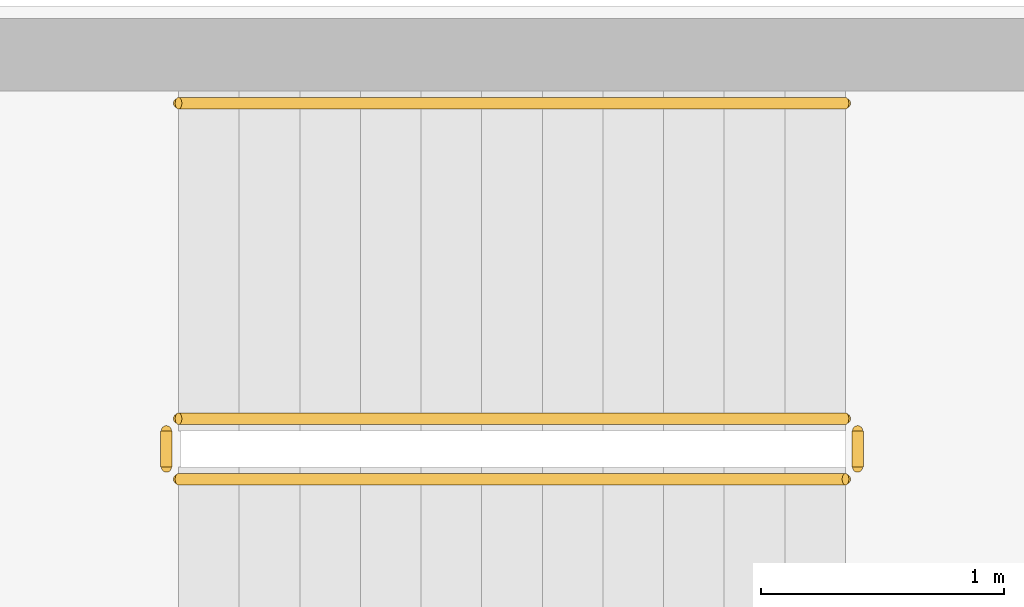
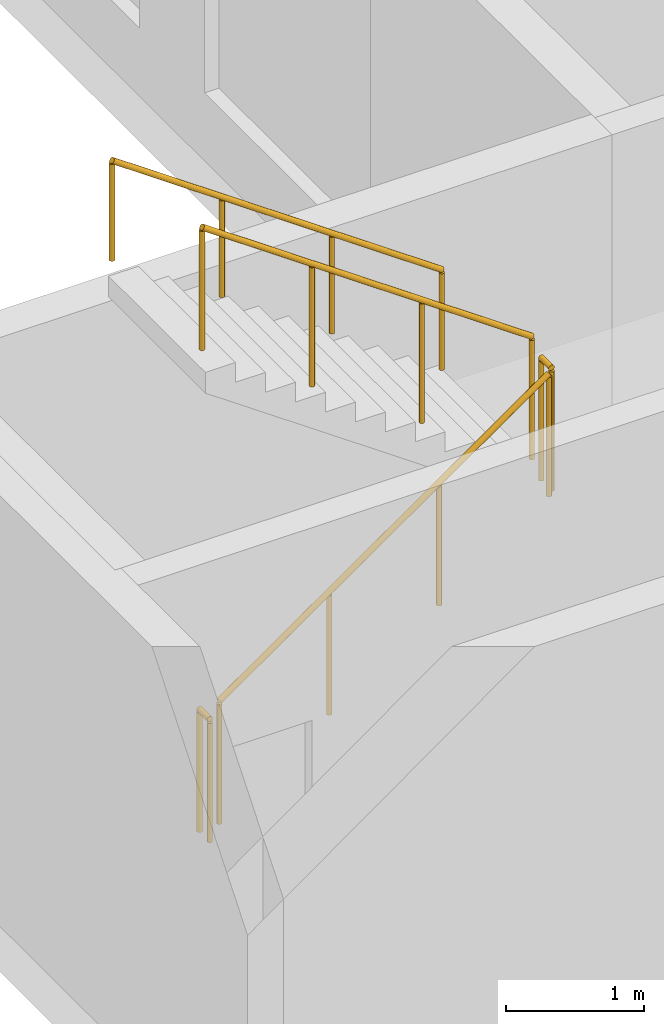
# One storey, part 13 of 14: 5 railings.
"""IFC4 building model written with IfcOpenShell, lengths in metres."""

import ifcopenshell
import ifcopenshell.guid

model = None  # the IFC model being written
_history = None  # IfcOwnerHistory: only IFC2X3 demands one
_inside = {}  # id of a spatial element -> (the spatial element, [elements in it])
_under = {}  # id of a project, library or spatial element -> (it, [spatial elements below it])
_declared = {}  # id of a project -> (the project, [libraries it declares])
_typed = {}  # id of a type object -> (the type object, [elements of that type])
_made_of = {}  # id of a material, layer set ... -> (it, [elements and type objects made of it])


def new_model(schema):
    """Start an empty IFC model of exactly this schema.

    Asked for "IFC4X3", IfcOpenShell would pick the latest addendum, in which some entities
    have other attributes; the version numbers below select the first issue.
    IFC2X3 requires an IfcOwnerHistory on every rooted entity: one is made here for all.
    """
    global model, _history
    if schema == "IFC4X3":
        model = ifcopenshell.file(schema_version=(4, 3, 0, 0))
    else:
        model = ifcopenshell.file(schema=schema)
    _inside.clear()
    _under.clear()
    _declared.clear()
    _typed.clear()
    _made_of.clear()
    _history = None
    if model.schema == "IFC2X3":
        org = make("IfcOrganization", Name="unknown")
        user = make(
            "IfcPersonAndOrganization",
            ThePerson=make("IfcPerson", FamilyName="unknown"),
            TheOrganization=org,
        )
        app = make(
            "IfcApplication",
            ApplicationDeveloper=org,
            Version="unknown",
            ApplicationFullName="unknown",
            ApplicationIdentifier="unknown",
        )
        _history = make(
            "IfcOwnerHistory",
            OwningUser=user,
            OwningApplication=app,
            ChangeAction="ADDED",
            CreationDate=0,
        )
    return model


def make(cls, **values):
    """One entity of the class cls with the attributes given. An attribute that is None is left unset."""
    return model.create_entity(
        cls, **{name: value for name, value in values.items() if value is not None}
    )


def rooted(cls, **values):
    """An entity with a GlobalId (a new one), such as an element, a storey or a relation."""
    return make(cls, GlobalId=ifcopenshell.guid.new(), OwnerHistory=_history, **values)


def si_unit(unit_type, name, prefix=None):
    """IfcSIUnit, for example si_unit("LENGTHUNIT", "METRE", prefix="MILLI")."""
    return make("IfcSIUnit", UnitType=unit_type, Prefix=prefix, Name=name)


def assignment(units):
    """IfcUnitAssignment: the units of a project."""
    return None if units is None else make("IfcUnitAssignment", Units=units)


def point(xyz):
    """IfcCartesianPoint."""
    return None if xyz is None else make("IfcCartesianPoint", Coordinates=xyz)


def direction(xyz):
    """IfcDirection."""
    return None if xyz is None else make("IfcDirection", DirectionRatios=xyz)


def frame(location, z_axis=None, x_axis=None):
    """IfcAxis2Placement3D, a coordinate frame: its origin and axes. An axis left out is left unset."""
    return make(
        "IfcAxis2Placement3D",
        Location=point(location),
        Axis=direction(z_axis),
        RefDirection=direction(x_axis),
    )


def frame_2d(location, x_axis=None):
    """IfcAxis2Placement2D, a coordinate frame in the plane: its origin and x axis."""
    return make(
        "IfcAxis2Placement2D", Location=point(location), RefDirection=direction(x_axis)
    )


def origin():
    """The frame at (0, 0, 0) with its axes left unset."""
    return frame((0.0, 0.0, 0.0))


def origin_2d():
    """The frame at (0, 0) in the plane with its x axis left unset."""
    return frame_2d((0.0, 0.0))


def place(relative_to, where):
    """IfcLocalPlacement: puts the frame where relative to a parent placement (None: the world)."""
    return make(
        "IfcLocalPlacement", PlacementRelTo=relative_to, RelativePlacement=where
    )


def context(
    kind, dimensions, precision=None, world=None, true_north=None, identifier=None
):
    """IfcGeometricRepresentationContext, for example the 3D "Model" context."""
    return make(
        "IfcGeometricRepresentationContext",
        ContextIdentifier=identifier,
        ContextType=kind,
        CoordinateSpaceDimension=dimensions,
        Precision=precision,
        WorldCoordinateSystem=world,
        TrueNorth=true_north,
    )


def subcontext(parent, identifier, kind, view, scale=None):
    """IfcGeometricRepresentationSubContext, for example "Body" below "Model"."""
    return make(
        "IfcGeometricRepresentationSubContext",
        ContextIdentifier=identifier,
        ContextType=kind,
        ParentContext=parent,
        TargetScale=scale,
        TargetView=view,
    )


def project(units=None, contexts=None):
    """IfcProject with its units and contexts."""
    return rooted(
        "IfcProject",
        Name="project",
        RepresentationContexts=contexts,
        UnitsInContext=assignment(units),
    )


def spatial(cls, under=None, at=None, **own):
    """A site, building, storey or space (cls), placed at a placement, below another one or the project."""
    s = rooted(cls, ObjectPlacement=at, **own)
    if under is not None:
        _under.setdefault(under.id(), (under, []))[1].append(s)
    return s


def profile(cls, at=None, kind="AREA", **sizes):
    """A parametric profile (cls). Its sizes go by their IFC names, for example OverallWidth=200.0."""
    return make(cls, ProfileType=kind, Position=at, **sizes)


def circle(**sizes):
    """IfcCircleProfileDef."""
    return profile("IfcCircleProfileDef", **sizes)


def extrude(swept, where, along, depth):
    """IfcExtrudedAreaSolid: the profile swept, set in the frame where, extruded along a direction by depth."""
    return make(
        "IfcExtrudedAreaSolid",
        SweptArea=swept,
        Position=where,
        ExtrudedDirection=direction(along),
        Depth=depth,
    )


def shape(context_of_items, identifier, shape_type, items):
    """IfcShapeRepresentation: the items that make up one representation, for example the "Body"."""
    return make(
        "IfcShapeRepresentation",
        ContextOfItems=context_of_items,
        RepresentationIdentifier=identifier,
        RepresentationType=shape_type,
        Items=items,
    )


def source(mapping_origin, context_of_items, identifier, shape_type, items):
    """IfcRepresentationMap: a shape defined once, which mapped items show again and again."""
    return make(
        "IfcRepresentationMap",
        MappingOrigin=mapping_origin,
        MappedRepresentation=shape(context_of_items, identifier, shape_type, items),
    )


def transform(
    local_origin,
    x_axis=None,
    y_axis=None,
    z_axis=None,
    scale=None,
    scale2=None,
    scale3=None,
    uniform=True,
):
    """IfcCartesianTransformationOperator3D, or its non-uniform kind. x_axis, y_axis, z_axis: its Axis1, 2, 3."""
    if uniform:
        return make(
            "IfcCartesianTransformationOperator3D",
            Axis1=direction(x_axis),
            Axis2=direction(y_axis),
            LocalOrigin=point(local_origin),
            Scale=scale,
            Axis3=direction(z_axis),
        )
    return make(
        "IfcCartesianTransformationOperator3DnonUniform",
        Axis1=direction(x_axis),
        Axis2=direction(y_axis),
        LocalOrigin=point(local_origin),
        Scale=scale,
        Axis3=direction(z_axis),
        Scale2=scale2,
        Scale3=scale3,
    )


def mapped(mapping_source, mapping_target):
    """IfcMappedItem: shows the shape of a source again, moved by a transform."""
    return make(
        "IfcMappedItem", MappingSource=mapping_source, MappingTarget=mapping_target
    )


def material(Name=None, Category=None):
    """IfcMaterial."""
    return make("IfcMaterial", Name=Name, Category=Category)


def made_of(thing, what):
    """Note that an element or type object is made of a material, layer set ...; save() writes the relation."""
    if what is not None:
        _made_of.setdefault(what.id(), (what, []))[1].append(thing)
    return thing


def type_object(cls, material=None, **own):
    """A type object (cls), such as IfcWallType, which elements share."""
    return made_of(rooted(cls, **own), material)


def element(
    cls,
    number,
    at=None,
    inside=None,
    cuts=None,
    type_object=None,
    material=None,
    context=None,
    identifier="Body",
    shape_type=None,
    held_by="IfcProductDefinitionShape",
    body=None,
    shapes=None,
    **own,
):
    """One element of the class cls, such as IfcWall. Its Tag is "e" and its number.

    at: its placement. inside: the storey or other place that contains it. cuts: it is an
    opening in that element (IfcRelVoidsElement). A single representation is given by context,
    identifier, shape_type and body (its items); several are given by shapes. held_by: the class
    of the entity that holds the representations. save() writes the other relations.
    """
    e = rooted(cls, Tag="e%d" % number, ObjectPlacement=at, **own)
    if body is not None:
        shapes = [shape(context, identifier, shape_type, body)]
    if shapes is not None:
        e.Representation = make(held_by, Representations=shapes)
    if inside is not None:
        _inside.setdefault(inside.id(), (inside, []))[1].append(e)
    if cuts is not None:
        rooted(
            "IfcRelVoidsElement", RelatingBuildingElement=cuts, RelatedOpeningElement=e
        )
    if type_object is not None:
        _typed.setdefault(type_object.id(), (type_object, []))[1].append(e)
    return made_of(e, material)


def aggregate(whole, parts):
    """IfcRelAggregates: a whole, such as a stair, and the parts it consists of."""
    return rooted("IfcRelAggregates", RelatingObject=whole, RelatedObjects=parts)


def save(model, path):
    """Write the relations noted so far, then the file.

    IfcRelAggregates (storeys below a building ...), IfcRelContainedInSpatialStructure (elements
    in a storey), IfcRelDefinesByType, IfcRelAssociatesMaterial and IfcRelDeclares: one each for
    every whole, place, type object, material and project.
    """
    for whole, parts in _under.values():
        aggregate(whole, parts)
    for where, things in _inside.values():
        rooted(
            "IfcRelContainedInSpatialStructure",
            RelatedElements=things,
            RelatingStructure=where,
        )
    for kind, things in _typed.values():
        rooted("IfcRelDefinesByType", RelatedObjects=things, RelatingType=kind)
    for what, things in _made_of.values():
        rooted("IfcRelAssociatesMaterial", RelatedObjects=things, RelatingMaterial=what)
    for by, libraries in _declared.values():
        rooted("IfcRelDeclares", RelatingContext=by, RelatedDefinitions=libraries)
    model.write(path)


model = new_model("IFC4")

# Units and contexts
model_context = context("Model", 3, precision=1e-05, world=origin(), true_north=direction((0.0, 1.0)))
body_context = subcontext(model_context, "Body", "Model", "MODEL_VIEW")
ifc_project = project(units=[si_unit("LENGTHUNIT", "METRE"), si_unit("AREAUNIT", "SQUARE_METRE"), si_unit("VOLUMEUNIT", "CUBIC_METRE"), si_unit("PLANEANGLEUNIT", "RADIAN"), si_unit("MASSUNIT", "GRAM", prefix="KILO")], contexts=[model_context])

# Site, building, storey
site_placement = place(None, origin())
site = spatial("IfcSite", under=ifc_project, at=site_placement, CompositionType="ELEMENT")
building_placement = place(site_placement, origin())
building = spatial("IfcBuilding", under=site, at=building_placement, Name="Aurelian Terraces", CompositionType="ELEMENT")
storey_placement = place(building_placement, frame((0.0, 0.0, 103.5)))
storey = spatial("IfcBuildingStorey", under=building, at=storey_placement, Name="L22", CompositionType="ELEMENT", Elevation=103.5)

# Railings
ifc_material = material(Name="Stainless steel", Category="steel")
railing_type_1 = type_object("IfcRailingType", Name="Stair guard 1100", PredefinedType="GUARDRAIL", material=ifc_material)
shared_shape_1 = source(origin(), body_context, "Body", "SweptSolid", [
    extrude(circle(Radius=0.024, at=origin_2d()), frame((0.0, 0.0, 1.076), z_axis=(0.0, 1.0, 0.0), x_axis=(-1.0, 0.0, 0.0)), (0.0, 0.0, 1.0), 0.15),
    extrude(circle(Radius=0.021, at=origin_2d()), origin(), (0.0, 0.0, 1.0), 1.052),
    extrude(circle(Radius=0.021, at=origin_2d()), frame((0.0, 0.15, 0.0)), (0.0, 0.0, 1.0), 1.052),
])
for number, where, name in (
    (1, (4.9, 42.05, 2.1), "L22 S3 stair guard 2"),
    (2, (2.05, 42.05, 0.0), "L22 S3 stair guard 4"),
):
    element("IfcRailing", number, at=place(storey_placement, frame(where)), inside=storey, type_object=railing_type_1, Name=name, PredefinedType="GUARDRAIL", context=body_context, shape_type="MappedRepresentation", body=[
        mapped(shared_shape_1, transform((0.0, 0.0, 0.0), scale=1.0)),
    ])
shared_shape_2 = source(origin(), body_context, "Body", "SweptSolid", [
    extrude(circle(Radius=0.024, at=origin_2d()), frame((0.0, 0.0, 1.076), z_axis=(0.819231920519, 0.0, 0.573462344363), x_axis=(0.0, 1.0, 0.0)), (0.0, 0.0, 1.0), 3.3568),
    extrude(circle(Radius=0.021, at=origin_2d()), origin(), (0.0, 0.0, 1.0), 1.052),
    extrude(circle(Radius=0.021, at=origin_2d()), frame((0.9167, 0.0, 0.6417)), (0.0, 0.0, 1.0), 1.052),
    extrude(circle(Radius=0.021, at=origin_2d()), frame((1.8333, 0.0, 1.2833)), (0.0, 0.0, 1.0), 1.052),
    extrude(circle(Radius=0.021, at=origin_2d()), frame((2.75, 0.0, 1.925)), (0.0, 0.0, 1.0), 1.052),
])
railing_1_placement = place(storey_placement, frame((2.1, 42.0, 0.175)))
element("IfcRailing", 3, at=railing_1_placement, inside=storey, type_object=railing_type_1, Name="L22 S3 stair guard 1", PredefinedType="GUARDRAIL", context=body_context, shape_type="MappedRepresentation", body=[
    mapped(shared_shape_2, transform((0.0, 0.0, 0.0), scale=1.0)),
])
shared_shape_3 = source(origin(), body_context, "Body", "SweptSolid", [
    extrude(circle(Radius=0.024, at=origin_2d()), frame((0.0, 0.0, 1.076), z_axis=(-0.819231920519, 0.0, 0.573462344363), x_axis=(0.0, -1.0, 0.0)), (0.0, 0.0, 1.0), 3.3568),
    extrude(circle(Radius=0.021, at=origin_2d()), origin(), (0.0, 0.0, 1.0), 1.052),
    extrude(circle(Radius=0.021, at=origin_2d()), frame((-0.9167, 0.0, 0.6417)), (0.0, 0.0, 1.0), 1.052),
    extrude(circle(Radius=0.021, at=origin_2d()), frame((-1.8333, 0.0, 1.2833)), (0.0, 0.0, 1.0), 1.052),
    extrude(circle(Radius=0.021, at=origin_2d()), frame((-2.75, 0.0, 1.925)), (0.0, 0.0, 1.0), 1.052),
])
railing_2_placement = place(storey_placement, frame((4.85, 42.25, 2.275)))
element("IfcRailing", 4, at=railing_2_placement, inside=storey, type_object=railing_type_1, Name="L22 S3 stair guard 3", PredefinedType="GUARDRAIL", context=body_context, shape_type="MappedRepresentation", body=[
    mapped(shared_shape_3, transform((0.0, 0.0, 0.0), scale=1.0)),
])
railing_type_2 = type_object("IfcRailingType", Name="Stair handrail", PredefinedType="HANDRAIL", material=ifc_material)
shared_shape_4 = source(origin(), body_context, "Body", "SweptSolid", [
    extrude(circle(Radius=0.024, at=origin_2d()), frame((0.0, 0.0, 0.876), z_axis=(-0.819231920519, 0.0, 0.573462344363), x_axis=(0.0, -1.0, 0.0)), (0.0, 0.0, 1.0), 3.3568),
    extrude(circle(Radius=0.021, at=origin_2d()), origin(), (0.0, 0.0, 1.0), 0.852),
    extrude(circle(Radius=0.021, at=origin_2d()), frame((-0.9167, 0.0, 0.6417)), (0.0, 0.0, 1.0), 0.852),
    extrude(circle(Radius=0.021, at=origin_2d()), frame((-1.8333, 0.0, 1.2833)), (0.0, 0.0, 1.0), 0.852),
    extrude(circle(Radius=0.021, at=origin_2d()), frame((-2.75, 0.0, 1.925)), (0.0, 0.0, 1.0), 0.852),
])
railing_3_placement = place(storey_placement, frame((4.85, 43.55, 2.275)))
element("IfcRailing", 5, at=railing_3_placement, inside=storey, type_object=railing_type_2, Name="L22 S3 stair handrail 2", PredefinedType="HANDRAIL", context=body_context, shape_type="MappedRepresentation", body=[
    mapped(shared_shape_4, transform((0.0, 0.0, 0.0), scale=1.0)),
])

save(model, "model.ifc")
